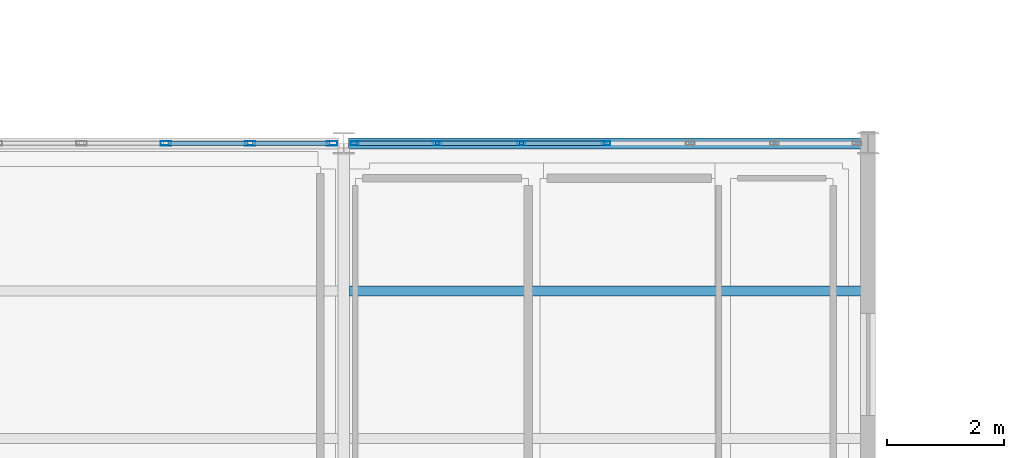
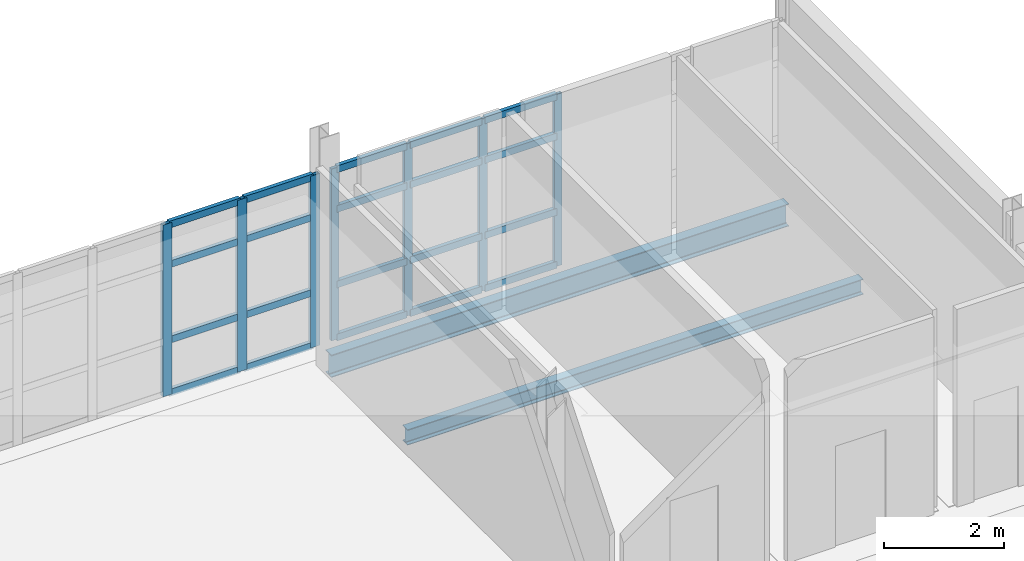
# One storey, part 58 of 174: 27 members, 2 beams, 2 elements without a shape of their own.
"""IFC4 building model written with IfcOpenShell, lengths in metres."""

from ifc_helpers import new_model, si_unit, direction, frame, origin, origin_2d, place, context, subcontext, project, spatial, hollow_rectangle, i_section, extrude, material, material_profile, profile_set, type_object, element, aggregate, save


model = new_model("IFC4")

# Units and contexts
model_context = context("Model", 3, precision=1e-05, world=origin(), true_north=direction((0.0, 1.0)))
body_context = subcontext(model_context, "Body", "Model", "MODEL_VIEW")
ifc_project = project(units=[si_unit("LENGTHUNIT", "METRE"), si_unit("AREAUNIT", "SQUARE_METRE"), si_unit("VOLUMEUNIT", "CUBIC_METRE"), si_unit("PLANEANGLEUNIT", "RADIAN"), si_unit("MASSUNIT", "GRAM", prefix="KILO")], contexts=[model_context])

# Site, building, storey
site_placement = place(None, origin())
site = spatial("IfcSite", under=ifc_project, at=site_placement, CompositionType="ELEMENT")
building_placement = place(site_placement, origin())
building = spatial("IfcBuilding", under=site, at=building_placement, Name="Caisbarro Railhouse Central Library", CompositionType="ELEMENT")
storey_placement = place(building_placement, frame((0.0, 0.0, 5.0400390625)))
storey = spatial("IfcBuildingStorey", under=building, at=storey_placement, Name="L01", CompositionType="ELEMENT", Elevation=5.0400390625)

# Beams
ifc_material_1 = material(Name="Steel ASTM A572 Grade 50", Category="steel")
ifc_material_profile_1 = material_profile(ifc_material_1, i_section(OverallWidth=0.1669921875, OverallDepth=0.31689453125, WebThickness=0.007568359375, FlangeThickness=0.01318359375, FilletRadius=0.011962890625, at=origin_2d()), Name="W310X52.0")
ifc_profile_set_1 = profile_set([ifc_material_profile_1], Name="Steel ASTM A572 Grade 50")
beam_type_1 = type_object("IfcBeamType", Name="BM-J02", PredefinedType="JOIST", material=ifc_profile_set_1)
beam_1_placement = place(storey_placement, frame((99.096923828125, 27.86669921875, -0.3984375), z_axis=(1.0, 0.0, 0.0), x_axis=(0.0, 1.0, 0.0)))
element("IfcBeam", 1, at=beam_1_placement, inside=storey, type_object=beam_type_1, Name="J02 beam L01 #789", PredefinedType="JOIST", context=body_context, shape_type="SweptSolid", body=[
    extrude(i_section(OverallWidth=0.1669921875, OverallDepth=0.31689453125, WebThickness=0.007568359375, FlangeThickness=0.01318359375, FilletRadius=0.011962890625, at=origin_2d()), origin(), (0.0, 0.0, 1.0), 8.80615234375),
])
ifc_material_profile_2 = material_profile(ifc_material_1, i_section(OverallWidth=0.18994140625, OverallDepth=0.45703125, WebThickness=0.009033203125, FlangeThickness=0.014404296875, FilletRadius=0.01806640625, at=origin_2d()), Name="W460X74.0")
ifc_profile_set_2 = profile_set([ifc_material_profile_2], Name="Steel ASTM A572 Grade 50")
beam_type_2 = type_object("IfcBeamType", Name="BM-SP01", PredefinedType="SPANDREL", material=ifc_profile_set_2)
beam_2_placement = place(storey_placement, frame((99.080078125, 30.39990234375, -0.468505859375), z_axis=(1.0, 0.0, 0.0), x_axis=(0.0, 1.0, 0.0)))
element("IfcBeam", 2, at=beam_2_placement, inside=storey, type_object=beam_type_2, Name="SP01 beam L01 #721", PredefinedType="SPANDREL", context=body_context, shape_type="SweptSolid", body=[
    extrude(i_section(OverallWidth=0.18994140625, OverallDepth=0.45703125, WebThickness=0.009033203125, FlangeThickness=0.014404296875, FilletRadius=0.01806640625, at=origin_2d()), origin(), (0.0, 0.0, 1.0), 8.83984375),
])

# Curtain wall, members
ifc_material_2 = material(Name="Anodised architectural aluminium", Category="aluminium")
curtain_wall_type = type_object("IfcCurtainWallType", Name="CW-CW02", PredefinedType="NOTDEFINED", material=ifc_material_2)
curtain_wall_1_placement = place(storey_placement, origin())
curtain_wall_1 = element("IfcCurtainWall", 3, at=curtain_wall_1_placement, inside=storey, type_object=curtain_wall_type, Name="CW02 curtain wall L01 #56", PredefinedType="NOTDEFINED")
ifc_material_profile_3 = material_profile(ifc_material_2, hollow_rectangle(XDim=0.074951171875, YDim=0.179931640625, WallThickness=0.00439453125, at=origin_2d()), Name="ALU-MUL-75X180")
ifc_profile_set_3 = profile_set([ifc_material_profile_3], Name="Anodised architectural aluminium")
member_type_1 = type_object("IfcMemberType", Name="CWM-M01", PredefinedType="MULLION", material=ifc_profile_set_3)
member_1_placement = place(storey_placement, frame((95.94677734375, 30.39990234375, 0.0), z_axis=(0.0, 0.0, 1.0), x_axis=(0.0, 1.0, 0.0)))
member_1 = element("IfcMember", 4, at=member_1_placement, type_object=member_type_1, Name="CW02 mullion 5", PredefinedType="MULLION", context=body_context, shape_type="SweptSolid", body=[
    extrude(hollow_rectangle(XDim=0.074951171875, YDim=0.179931640625, WallThickness=0.00439453125, at=origin_2d()), origin(), (0.0, 0.0, 1.0), 3.510009765625),
])
member_2_placement = place(storey_placement, frame((97.393310546875, 30.39990234375, 0.0), z_axis=(0.0, 0.0, 1.0), x_axis=(0.0, 1.0, 0.0)))
member_2 = element("IfcMember", 5, at=member_2_placement, type_object=member_type_1, Name="CW02 mullion 6", PredefinedType="MULLION", context=body_context, shape_type="SweptSolid", body=[
    extrude(hollow_rectangle(XDim=0.074951171875, YDim=0.179931640625, WallThickness=0.00439453125, at=origin_2d()), origin(), (0.0, 0.0, 1.0), 3.510009765625),
])
member_3_placement = place(storey_placement, frame((98.802490234375, 30.39990234375, 0.0), z_axis=(0.0, 0.0, 1.0), x_axis=(0.0, 1.0, 0.0)))
member_3 = element("IfcMember", 6, at=member_3_placement, type_object=member_type_1, Name="CW02 mullion 7", PredefinedType="MULLION", context=body_context, shape_type="SweptSolid", body=[
    extrude(hollow_rectangle(XDim=0.074951171875, YDim=0.179931640625, WallThickness=0.00439453125, at=origin_2d()), origin(), (0.0, 0.0, 1.0), 3.510009765625),
])

curtain_wall_2_placement = place(storey_placement, origin())
curtain_wall_2 = element("IfcCurtainWall", 7, at=curtain_wall_2_placement, inside=storey, type_object=curtain_wall_type, Name="CW02 curtain wall L01 #57", PredefinedType="NOTDEFINED")
ifc_material_profile_4 = material_profile(ifc_material_2, hollow_rectangle(XDim=0.06494140625, YDim=0.14990234375, WallThickness=0.00390625, at=origin_2d()), Name="ALU-MUL-65X150")
ifc_profile_set_4 = profile_set([ifc_material_profile_4], Name="Anodised architectural aluminium")
member_type_2 = type_object("IfcMemberType", Name="CWM-M02", PredefinedType="MULLION", material=ifc_profile_set_4)
member_4_placement = place(storey_placement, frame((99.1923828125, 30.39990234375, 0.0), z_axis=(0.0, 0.0, 1.0), x_axis=(0.0, 1.0, 0.0)))
member_4 = element("IfcMember", 8, at=member_4_placement, type_object=member_type_2, Name="CW02 mullion 1", PredefinedType="MULLION", context=body_context, shape_type="SweptSolid", body=[
    extrude(hollow_rectangle(XDim=0.06494140625, YDim=0.14990234375, WallThickness=0.00390625, at=origin_2d()), origin(), (0.0, 0.0, 1.0), 3.510009765625),
])
member_5_placement = place(storey_placement, frame((100.606689453125, 30.39990234375, 0.0), z_axis=(0.0, 0.0, 1.0), x_axis=(0.0, 1.0, 0.0)))
member_5 = element("IfcMember", 9, at=member_5_placement, type_object=member_type_2, Name="CW02 mullion 2", PredefinedType="MULLION", context=body_context, shape_type="SweptSolid", body=[
    extrude(hollow_rectangle(XDim=0.06494140625, YDim=0.14990234375, WallThickness=0.00390625, at=origin_2d()), origin(), (0.0, 0.0, 1.0), 3.510009765625),
])
member_6_placement = place(storey_placement, frame((102.05322265625, 30.39990234375, 0.0), z_axis=(0.0, 0.0, 1.0), x_axis=(0.0, 1.0, 0.0)))
member_6 = element("IfcMember", 10, at=member_6_placement, type_object=member_type_2, Name="CW02 mullion 3", PredefinedType="MULLION", context=body_context, shape_type="SweptSolid", body=[
    extrude(hollow_rectangle(XDim=0.06494140625, YDim=0.14990234375, WallThickness=0.00390625, at=origin_2d()), origin(), (0.0, 0.0, 1.0), 3.510009765625),
])
member_7_placement = place(storey_placement, frame((103.5, 30.39990234375, 0.0), z_axis=(0.0, 0.0, 1.0), x_axis=(0.0, 1.0, 0.0)))
member_7 = element("IfcMember", 11, at=member_7_placement, type_object=member_type_2, Name="CW02 mullion 4", PredefinedType="MULLION", context=body_context, shape_type="SweptSolid", body=[
    extrude(hollow_rectangle(XDim=0.06494140625, YDim=0.14990234375, WallThickness=0.00390625, at=origin_2d()), origin(), (0.0, 0.0, 1.0), 3.510009765625),
])

# Member
ifc_material_profile_5 = material_profile(ifc_material_2, hollow_rectangle(XDim=0.074951171875, YDim=0.139892578125, WallThickness=0.00390625, at=origin_2d()), Name="ALU-TRN-75X140")
ifc_profile_set_5 = profile_set([ifc_material_profile_5], Name="Anodised architectural aluminium")
member_type_3 = type_object("IfcMemberType", Name="CWT-T01", PredefinedType="USERDEFINED", material=ifc_profile_set_5)
member_8_placement = place(storey_placement, frame((95.984130859375, 30.39990234375, 0.037353515625), z_axis=(1.0, 0.0, 0.0), x_axis=(0.0, 1.0, 0.0)))
member_8 = element("IfcMember", 12, at=member_8_placement, type_object=member_type_3, Name="CW02 transom 5.1", ObjectType="TRANSOM", PredefinedType="USERDEFINED", context=body_context, shape_type="SweptSolid", body=[
    extrude(hollow_rectangle(XDim=0.074951171875, YDim=0.139892578125, WallThickness=0.00390625, at=origin_2d()), origin(), (0.0, 0.0, 1.0), 1.37158203125),
])

member_9_placement = place(storey_placement, frame((95.984130859375, 30.39990234375, 1.119873046875), z_axis=(1.0, 0.0, 0.0), x_axis=(0.0, 1.0, 0.0)))
member_9 = element("IfcMember", 13, at=member_9_placement, type_object=member_type_3, Name="CW02 transom 5.2", ObjectType="TRANSOM", PredefinedType="USERDEFINED", context=body_context, shape_type="SweptSolid", body=[
    extrude(hollow_rectangle(XDim=0.074951171875, YDim=0.139892578125, WallThickness=0.00390625, at=origin_2d()), origin(), (0.0, 0.0, 1.0), 1.37158203125),
])

member_10_placement = place(storey_placement, frame((95.984130859375, 30.39990234375, 2.659912109375), z_axis=(1.0, 0.0, 0.0), x_axis=(0.0, 1.0, 0.0)))
member_10 = element("IfcMember", 14, at=member_10_placement, type_object=member_type_3, Name="CW02 transom 5.3", ObjectType="TRANSOM", PredefinedType="USERDEFINED", context=body_context, shape_type="SweptSolid", body=[
    extrude(hollow_rectangle(XDim=0.074951171875, YDim=0.139892578125, WallThickness=0.00390625, at=origin_2d()), origin(), (0.0, 0.0, 1.0), 1.37158203125),
])

member_11_placement = place(storey_placement, frame((95.984130859375, 30.39990234375, 3.472412109375), z_axis=(1.0, 0.0, 0.0), x_axis=(0.0, 1.0, 0.0)))
member_11 = element("IfcMember", 15, at=member_11_placement, type_object=member_type_3, Name="CW02 transom 5.4", ObjectType="TRANSOM", PredefinedType="USERDEFINED", context=body_context, shape_type="SweptSolid", body=[
    extrude(hollow_rectangle(XDim=0.074951171875, YDim=0.139892578125, WallThickness=0.00390625, at=origin_2d()), origin(), (0.0, 0.0, 1.0), 1.37158203125),
])

member_12_placement = place(storey_placement, frame((97.430908203125, 30.39990234375, 0.037353515625), z_axis=(1.0, 0.0, 0.0), x_axis=(0.0, 1.0, 0.0)))
member_12 = element("IfcMember", 16, at=member_12_placement, type_object=member_type_3, Name="CW02 transom 6.1", ObjectType="TRANSOM", PredefinedType="USERDEFINED", context=body_context, shape_type="SweptSolid", body=[
    extrude(hollow_rectangle(XDim=0.074951171875, YDim=0.139892578125, WallThickness=0.00390625, at=origin_2d()), origin(), (0.0, 0.0, 1.0), 1.333984375),
])

member_13_placement = place(storey_placement, frame((97.430908203125, 30.39990234375, 1.119873046875), z_axis=(1.0, 0.0, 0.0), x_axis=(0.0, 1.0, 0.0)))
member_13 = element("IfcMember", 17, at=member_13_placement, type_object=member_type_3, Name="CW02 transom 6.2", ObjectType="TRANSOM", PredefinedType="USERDEFINED", context=body_context, shape_type="SweptSolid", body=[
    extrude(hollow_rectangle(XDim=0.074951171875, YDim=0.139892578125, WallThickness=0.00390625, at=origin_2d()), origin(), (0.0, 0.0, 1.0), 1.333984375),
])

member_14_placement = place(storey_placement, frame((97.430908203125, 30.39990234375, 2.659912109375), z_axis=(1.0, 0.0, 0.0), x_axis=(0.0, 1.0, 0.0)))
member_14 = element("IfcMember", 18, at=member_14_placement, type_object=member_type_3, Name="CW02 transom 6.3", ObjectType="TRANSOM", PredefinedType="USERDEFINED", context=body_context, shape_type="SweptSolid", body=[
    extrude(hollow_rectangle(XDim=0.074951171875, YDim=0.139892578125, WallThickness=0.00390625, at=origin_2d()), origin(), (0.0, 0.0, 1.0), 1.333984375),
])

member_15_placement = place(storey_placement, frame((97.430908203125, 30.39990234375, 3.472412109375), z_axis=(1.0, 0.0, 0.0), x_axis=(0.0, 1.0, 0.0)))
member_15 = element("IfcMember", 19, at=member_15_placement, type_object=member_type_3, Name="CW02 transom 6.4", ObjectType="TRANSOM", PredefinedType="USERDEFINED", context=body_context, shape_type="SweptSolid", body=[
    extrude(hollow_rectangle(XDim=0.074951171875, YDim=0.139892578125, WallThickness=0.00390625, at=origin_2d()), origin(), (0.0, 0.0, 1.0), 1.333984375),
])

aggregate(curtain_wall_1, [member_1, member_2, member_3, member_8, member_9, member_10, member_11, member_12, member_13, member_14, member_15])

member_16_placement = place(storey_placement, frame((99.22509765625, 30.39990234375, 0.037353515625), z_axis=(1.0, 0.0, 0.0), x_axis=(0.0, 1.0, 0.0)))
member_16 = element("IfcMember", 20, at=member_16_placement, type_object=member_type_3, Name="CW02 transom 1.1", ObjectType="TRANSOM", PredefinedType="USERDEFINED", context=body_context, shape_type="SweptSolid", body=[
    extrude(hollow_rectangle(XDim=0.074951171875, YDim=0.139892578125, WallThickness=0.00390625, at=origin_2d()), origin(), (0.0, 0.0, 1.0), 1.34912109375),
])

member_17_placement = place(storey_placement, frame((99.22509765625, 30.39990234375, 1.119873046875), z_axis=(1.0, 0.0, 0.0), x_axis=(0.0, 1.0, 0.0)))
member_17 = element("IfcMember", 21, at=member_17_placement, type_object=member_type_3, Name="CW02 transom 1.2", ObjectType="TRANSOM", PredefinedType="USERDEFINED", context=body_context, shape_type="SweptSolid", body=[
    extrude(hollow_rectangle(XDim=0.074951171875, YDim=0.139892578125, WallThickness=0.00390625, at=origin_2d()), origin(), (0.0, 0.0, 1.0), 1.34912109375),
])

member_18_placement = place(storey_placement, frame((99.22509765625, 30.39990234375, 2.659912109375), z_axis=(1.0, 0.0, 0.0), x_axis=(0.0, 1.0, 0.0)))
member_18 = element("IfcMember", 22, at=member_18_placement, type_object=member_type_3, Name="CW02 transom 1.3", ObjectType="TRANSOM", PredefinedType="USERDEFINED", context=body_context, shape_type="SweptSolid", body=[
    extrude(hollow_rectangle(XDim=0.074951171875, YDim=0.139892578125, WallThickness=0.00390625, at=origin_2d()), origin(), (0.0, 0.0, 1.0), 1.34912109375),
])

member_19_placement = place(storey_placement, frame((99.22509765625, 30.39990234375, 3.472412109375), z_axis=(1.0, 0.0, 0.0), x_axis=(0.0, 1.0, 0.0)))
member_19 = element("IfcMember", 23, at=member_19_placement, type_object=member_type_3, Name="CW02 transom 1.4", ObjectType="TRANSOM", PredefinedType="USERDEFINED", context=body_context, shape_type="SweptSolid", body=[
    extrude(hollow_rectangle(XDim=0.074951171875, YDim=0.139892578125, WallThickness=0.00390625, at=origin_2d()), origin(), (0.0, 0.0, 1.0), 1.34912109375),
])

member_20_placement = place(storey_placement, frame((100.63916015625, 30.39990234375, 0.037353515625), z_axis=(1.0, 0.0, 0.0), x_axis=(0.0, 1.0, 0.0)))
member_20 = element("IfcMember", 24, at=member_20_placement, type_object=member_type_3, Name="CW02 transom 2.1", ObjectType="TRANSOM", PredefinedType="USERDEFINED", context=body_context, shape_type="SweptSolid", body=[
    extrude(hollow_rectangle(XDim=0.074951171875, YDim=0.139892578125, WallThickness=0.00390625, at=origin_2d()), origin(), (0.0, 0.0, 1.0), 1.381591796875),
])

member_21_placement = place(storey_placement, frame((100.63916015625, 30.39990234375, 1.119873046875), z_axis=(1.0, 0.0, 0.0), x_axis=(0.0, 1.0, 0.0)))
member_21 = element("IfcMember", 25, at=member_21_placement, type_object=member_type_3, Name="CW02 transom 2.2", ObjectType="TRANSOM", PredefinedType="USERDEFINED", context=body_context, shape_type="SweptSolid", body=[
    extrude(hollow_rectangle(XDim=0.074951171875, YDim=0.139892578125, WallThickness=0.00390625, at=origin_2d()), origin(), (0.0, 0.0, 1.0), 1.381591796875),
])

member_22_placement = place(storey_placement, frame((100.63916015625, 30.39990234375, 2.659912109375), z_axis=(1.0, 0.0, 0.0), x_axis=(0.0, 1.0, 0.0)))
member_22 = element("IfcMember", 26, at=member_22_placement, type_object=member_type_3, Name="CW02 transom 2.3", ObjectType="TRANSOM", PredefinedType="USERDEFINED", context=body_context, shape_type="SweptSolid", body=[
    extrude(hollow_rectangle(XDim=0.074951171875, YDim=0.139892578125, WallThickness=0.00390625, at=origin_2d()), origin(), (0.0, 0.0, 1.0), 1.381591796875),
])

member_23_placement = place(storey_placement, frame((100.63916015625, 30.39990234375, 3.472412109375), z_axis=(1.0, 0.0, 0.0), x_axis=(0.0, 1.0, 0.0)))
member_23 = element("IfcMember", 27, at=member_23_placement, type_object=member_type_3, Name="CW02 transom 2.4", ObjectType="TRANSOM", PredefinedType="USERDEFINED", context=body_context, shape_type="SweptSolid", body=[
    extrude(hollow_rectangle(XDim=0.074951171875, YDim=0.139892578125, WallThickness=0.00390625, at=origin_2d()), origin(), (0.0, 0.0, 1.0), 1.381591796875),
])

member_24_placement = place(storey_placement, frame((102.0859375, 30.39990234375, 0.037353515625), z_axis=(1.0, 0.0, 0.0), x_axis=(0.0, 1.0, 0.0)))
member_24 = element("IfcMember", 28, at=member_24_placement, type_object=member_type_3, Name="CW02 transom 3.1", ObjectType="TRANSOM", PredefinedType="USERDEFINED", context=body_context, shape_type="SweptSolid", body=[
    extrude(hollow_rectangle(XDim=0.074951171875, YDim=0.139892578125, WallThickness=0.00390625, at=origin_2d()), origin(), (0.0, 0.0, 1.0), 1.381591796875),
])

member_25_placement = place(storey_placement, frame((102.0859375, 30.39990234375, 1.119873046875), z_axis=(1.0, 0.0, 0.0), x_axis=(0.0, 1.0, 0.0)))
member_25 = element("IfcMember", 29, at=member_25_placement, type_object=member_type_3, Name="CW02 transom 3.2", ObjectType="TRANSOM", PredefinedType="USERDEFINED", context=body_context, shape_type="SweptSolid", body=[
    extrude(hollow_rectangle(XDim=0.074951171875, YDim=0.139892578125, WallThickness=0.00390625, at=origin_2d()), origin(), (0.0, 0.0, 1.0), 1.381591796875),
])

member_26_placement = place(storey_placement, frame((102.0859375, 30.39990234375, 2.659912109375), z_axis=(1.0, 0.0, 0.0), x_axis=(0.0, 1.0, 0.0)))
member_26 = element("IfcMember", 30, at=member_26_placement, type_object=member_type_3, Name="CW02 transom 3.3", ObjectType="TRANSOM", PredefinedType="USERDEFINED", context=body_context, shape_type="SweptSolid", body=[
    extrude(hollow_rectangle(XDim=0.074951171875, YDim=0.139892578125, WallThickness=0.00390625, at=origin_2d()), origin(), (0.0, 0.0, 1.0), 1.381591796875),
])

member_27_placement = place(storey_placement, frame((102.0859375, 30.39990234375, 3.472412109375), z_axis=(1.0, 0.0, 0.0), x_axis=(0.0, 1.0, 0.0)))
member_27 = element("IfcMember", 31, at=member_27_placement, type_object=member_type_3, Name="CW02 transom 3.4", ObjectType="TRANSOM", PredefinedType="USERDEFINED", context=body_context, shape_type="SweptSolid", body=[
    extrude(hollow_rectangle(XDim=0.074951171875, YDim=0.139892578125, WallThickness=0.00390625, at=origin_2d()), origin(), (0.0, 0.0, 1.0), 1.381591796875),
])

aggregate(curtain_wall_2, [member_4, member_5, member_6, member_7, member_16, member_17, member_18, member_19, member_20, member_21, member_22, member_23, member_24, member_25, member_26, member_27])

save(model, "model.ifc")
